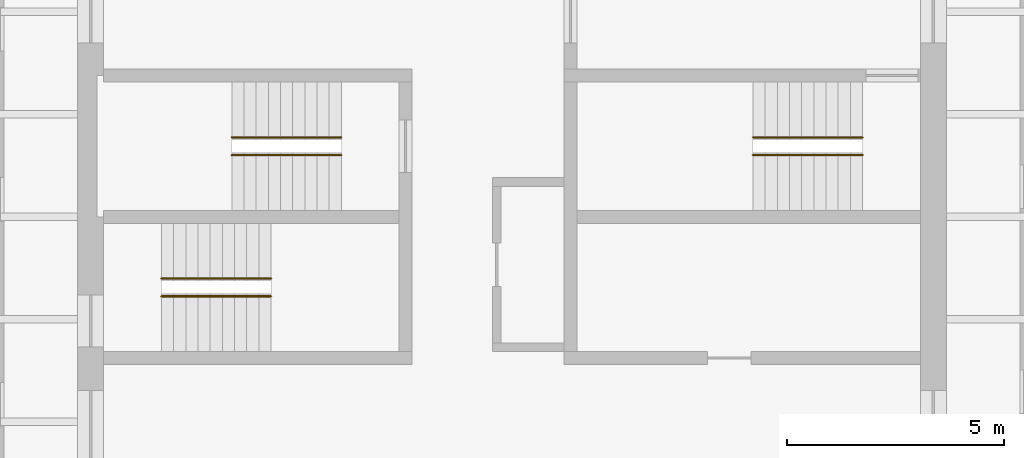
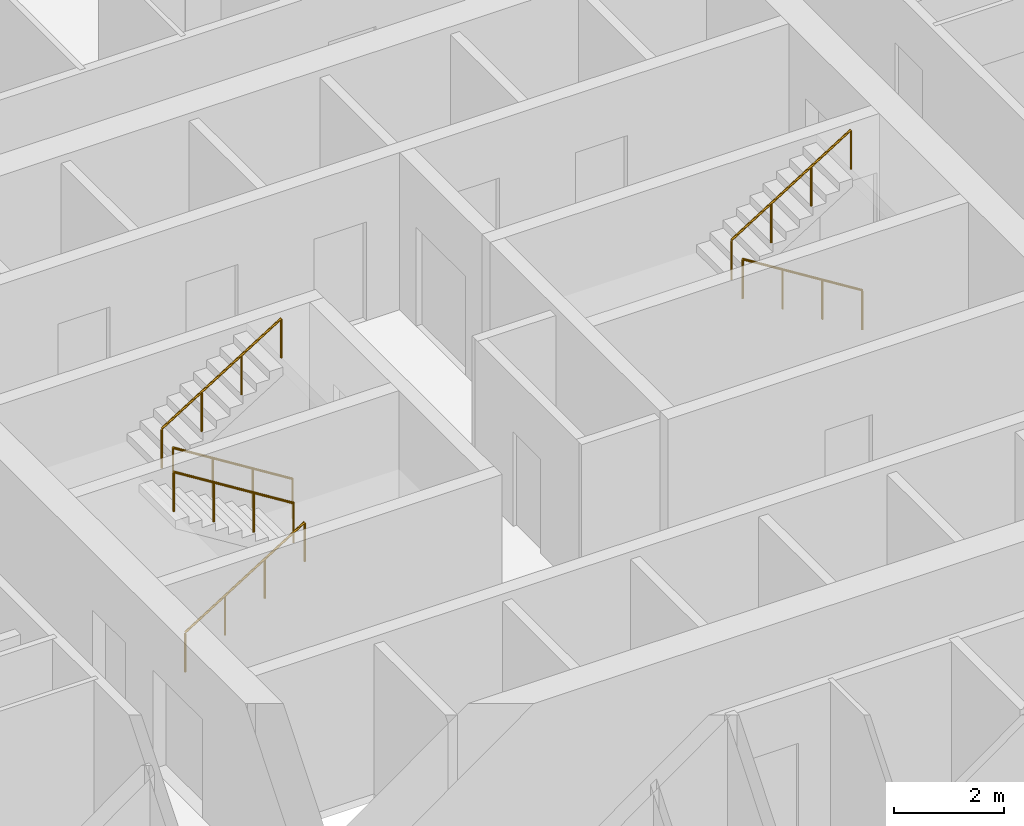
# One storey, part 9 of 9: 6 railings.
"""IFC4 building model written with IfcOpenShell, lengths in metres."""

import ifcopenshell
import ifcopenshell.guid

model = None  # the IFC model being written
_history = None  # IfcOwnerHistory: only IFC2X3 demands one
_inside = {}  # id of a spatial element -> (the spatial element, [elements in it])
_under = {}  # id of a project, library or spatial element -> (it, [spatial elements below it])
_declared = {}  # id of a project -> (the project, [libraries it declares])
_typed = {}  # id of a type object -> (the type object, [elements of that type])
_made_of = {}  # id of a material, layer set ... -> (it, [elements and type objects made of it])


def new_model(schema):
    """Start an empty IFC model of exactly this schema.

    Asked for "IFC4X3", IfcOpenShell would pick the latest addendum, in which some entities
    have other attributes; the version numbers below select the first issue.
    IFC2X3 requires an IfcOwnerHistory on every rooted entity: one is made here for all.
    """
    global model, _history
    if schema == "IFC4X3":
        model = ifcopenshell.file(schema_version=(4, 3, 0, 0))
    else:
        model = ifcopenshell.file(schema=schema)
    _inside.clear()
    _under.clear()
    _declared.clear()
    _typed.clear()
    _made_of.clear()
    _history = None
    if model.schema == "IFC2X3":
        org = make("IfcOrganization", Name="unknown")
        user = make(
            "IfcPersonAndOrganization",
            ThePerson=make("IfcPerson", FamilyName="unknown"),
            TheOrganization=org,
        )
        app = make(
            "IfcApplication",
            ApplicationDeveloper=org,
            Version="unknown",
            ApplicationFullName="unknown",
            ApplicationIdentifier="unknown",
        )
        _history = make(
            "IfcOwnerHistory",
            OwningUser=user,
            OwningApplication=app,
            ChangeAction="ADDED",
            CreationDate=0,
        )
    return model


def make(cls, **values):
    """One entity of the class cls with the attributes given. An attribute that is None is left unset."""
    return model.create_entity(
        cls, **{name: value for name, value in values.items() if value is not None}
    )


def rooted(cls, **values):
    """An entity with a GlobalId (a new one), such as an element, a storey or a relation."""
    return make(cls, GlobalId=ifcopenshell.guid.new(), OwnerHistory=_history, **values)


def si_unit(unit_type, name, prefix=None):
    """IfcSIUnit, for example si_unit("LENGTHUNIT", "METRE", prefix="MILLI")."""
    return make("IfcSIUnit", UnitType=unit_type, Prefix=prefix, Name=name)


def assignment(units):
    """IfcUnitAssignment: the units of a project."""
    return None if units is None else make("IfcUnitAssignment", Units=units)


def point(xyz):
    """IfcCartesianPoint."""
    return None if xyz is None else make("IfcCartesianPoint", Coordinates=xyz)


def direction(xyz):
    """IfcDirection."""
    return None if xyz is None else make("IfcDirection", DirectionRatios=xyz)


def frame(location, z_axis=None, x_axis=None):
    """IfcAxis2Placement3D, a coordinate frame: its origin and axes. An axis left out is left unset."""
    return make(
        "IfcAxis2Placement3D",
        Location=point(location),
        Axis=direction(z_axis),
        RefDirection=direction(x_axis),
    )


def frame_2d(location, x_axis=None):
    """IfcAxis2Placement2D, a coordinate frame in the plane: its origin and x axis."""
    return make(
        "IfcAxis2Placement2D", Location=point(location), RefDirection=direction(x_axis)
    )


def origin():
    """The frame at (0, 0, 0) with its axes left unset."""
    return frame((0.0, 0.0, 0.0))


def origin_2d():
    """The frame at (0, 0) in the plane with its x axis left unset."""
    return frame_2d((0.0, 0.0))


def place(relative_to, where):
    """IfcLocalPlacement: puts the frame where relative to a parent placement (None: the world)."""
    return make(
        "IfcLocalPlacement", PlacementRelTo=relative_to, RelativePlacement=where
    )


def context(
    kind, dimensions, precision=None, world=None, true_north=None, identifier=None
):
    """IfcGeometricRepresentationContext, for example the 3D "Model" context."""
    return make(
        "IfcGeometricRepresentationContext",
        ContextIdentifier=identifier,
        ContextType=kind,
        CoordinateSpaceDimension=dimensions,
        Precision=precision,
        WorldCoordinateSystem=world,
        TrueNorth=true_north,
    )


def subcontext(parent, identifier, kind, view, scale=None):
    """IfcGeometricRepresentationSubContext, for example "Body" below "Model"."""
    return make(
        "IfcGeometricRepresentationSubContext",
        ContextIdentifier=identifier,
        ContextType=kind,
        ParentContext=parent,
        TargetScale=scale,
        TargetView=view,
    )


def project(units=None, contexts=None):
    """IfcProject with its units and contexts."""
    return rooted(
        "IfcProject",
        Name="project",
        RepresentationContexts=contexts,
        UnitsInContext=assignment(units),
    )


def spatial(cls, under=None, at=None, **own):
    """A site, building, storey or space (cls), placed at a placement, below another one or the project."""
    s = rooted(cls, ObjectPlacement=at, **own)
    if under is not None:
        _under.setdefault(under.id(), (under, []))[1].append(s)
    return s


def profile(cls, at=None, kind="AREA", **sizes):
    """A parametric profile (cls). Its sizes go by their IFC names, for example OverallWidth=200.0."""
    return make(cls, ProfileType=kind, Position=at, **sizes)


def circle(**sizes):
    """IfcCircleProfileDef."""
    return profile("IfcCircleProfileDef", **sizes)


def extrude(swept, where, along, depth):
    """IfcExtrudedAreaSolid: the profile swept, set in the frame where, extruded along a direction by depth."""
    return make(
        "IfcExtrudedAreaSolid",
        SweptArea=swept,
        Position=where,
        ExtrudedDirection=direction(along),
        Depth=depth,
    )


def shape(context_of_items, identifier, shape_type, items):
    """IfcShapeRepresentation: the items that make up one representation, for example the "Body"."""
    return make(
        "IfcShapeRepresentation",
        ContextOfItems=context_of_items,
        RepresentationIdentifier=identifier,
        RepresentationType=shape_type,
        Items=items,
    )


def material(Name=None, Category=None):
    """IfcMaterial."""
    return make("IfcMaterial", Name=Name, Category=Category)


def made_of(thing, what):
    """Note that an element or type object is made of a material, layer set ...; save() writes the relation."""
    if what is not None:
        _made_of.setdefault(what.id(), (what, []))[1].append(thing)
    return thing


def type_object(cls, material=None, **own):
    """A type object (cls), such as IfcWallType, which elements share."""
    return made_of(rooted(cls, **own), material)


def element(
    cls,
    number,
    at=None,
    inside=None,
    cuts=None,
    type_object=None,
    material=None,
    context=None,
    identifier="Body",
    shape_type=None,
    held_by="IfcProductDefinitionShape",
    body=None,
    shapes=None,
    **own,
):
    """One element of the class cls, such as IfcWall. Its Tag is "e" and its number.

    at: its placement. inside: the storey or other place that contains it. cuts: it is an
    opening in that element (IfcRelVoidsElement). A single representation is given by context,
    identifier, shape_type and body (its items); several are given by shapes. held_by: the class
    of the entity that holds the representations. save() writes the other relations.
    """
    e = rooted(cls, Tag="e%d" % number, ObjectPlacement=at, **own)
    if body is not None:
        shapes = [shape(context, identifier, shape_type, body)]
    if shapes is not None:
        e.Representation = make(held_by, Representations=shapes)
    if inside is not None:
        _inside.setdefault(inside.id(), (inside, []))[1].append(e)
    if cuts is not None:
        rooted(
            "IfcRelVoidsElement", RelatingBuildingElement=cuts, RelatedOpeningElement=e
        )
    if type_object is not None:
        _typed.setdefault(type_object.id(), (type_object, []))[1].append(e)
    return made_of(e, material)


def aggregate(whole, parts):
    """IfcRelAggregates: a whole, such as a stair, and the parts it consists of."""
    return rooted("IfcRelAggregates", RelatingObject=whole, RelatedObjects=parts)


def save(model, path):
    """Write the relations noted so far, then the file.

    IfcRelAggregates (storeys below a building ...), IfcRelContainedInSpatialStructure (elements
    in a storey), IfcRelDefinesByType, IfcRelAssociatesMaterial and IfcRelDeclares: one each for
    every whole, place, type object, material and project.
    """
    for whole, parts in _under.values():
        aggregate(whole, parts)
    for where, things in _inside.values():
        rooted(
            "IfcRelContainedInSpatialStructure",
            RelatedElements=things,
            RelatingStructure=where,
        )
    for kind, things in _typed.values():
        rooted("IfcRelDefinesByType", RelatedObjects=things, RelatingType=kind)
    for what, things in _made_of.values():
        rooted("IfcRelAssociatesMaterial", RelatedObjects=things, RelatingMaterial=what)
    for by, libraries in _declared.values():
        rooted("IfcRelDeclares", RelatingContext=by, RelatedDefinitions=libraries)
    model.write(path)


model = new_model("IFC4")

# Units and contexts
model_context = context("Model", 3, precision=1e-05, world=origin(), true_north=direction((0.0, 1.0)))
body_context = subcontext(model_context, "Body", "Model", "MODEL_VIEW")
ifc_project = project(units=[si_unit("LENGTHUNIT", "METRE"), si_unit("AREAUNIT", "SQUARE_METRE"), si_unit("VOLUMEUNIT", "CUBIC_METRE"), si_unit("PLANEANGLEUNIT", "RADIAN"), si_unit("MASSUNIT", "GRAM", prefix="KILO")], contexts=[model_context])

# Site, building, storey
site_placement = place(None, origin())
site = spatial("IfcSite", under=ifc_project, at=site_placement, CompositionType="ELEMENT")
building_placement = place(site_placement, origin())
building = spatial("IfcBuilding", under=site, at=building_placement, Name="Turquesa Mirador Hotel Tower", CompositionType="ELEMENT")
storey_placement = place(building_placement, frame((0.0, 0.0, 142.39990234375)))
storey = spatial("IfcBuildingStorey", under=building, at=storey_placement, Name="L38", CompositionType="ELEMENT", Elevation=142.39990234375)

# Railings
ifc_material = material(Name="Painted steel handrail", Category="steel")
railing_type = type_object("IfcRailingType", Name="HANDRAIL 900 STEEL", PredefinedType="HANDRAIL", material=ifc_material)
railing_1_placement = place(storey_placement, frame((51.070068359375, 46.419921875, 0.175048828125)))
element("IfcRailing", 1, at=railing_1_placement, inside=storey, type_object=railing_type, Name="Handrail ST1", PredefinedType="HANDRAIL", context=body_context, shape_type="SweptSolid", body=[
    extrude(circle(Radius=0.02392578125, at=origin_2d()), frame((0.0, 0.0, 0.8759765625), z_axis=(-0.848007534815, 0.0, 0.529984170421), x_axis=(0.0, -1.0, 0.0)), (0.0, 0.0, 1.0), 2.9716796875),
    extrude(circle(Radius=0.02099609375, at=origin_2d()), origin(), (0.0, 0.0, 1.0), 0.851806640625),
    extrude(circle(Radius=0.02099609375, at=origin_2d()), frame((-0.840087890625, 0.0, 0.52490234375)), (0.0, 0.0, 1.0), 0.851806640625),
    extrude(circle(Radius=0.02099609375, at=origin_2d()), frame((-1.679931640625, 0.0, 1.050048828125)), (0.0, 0.0, 1.0), 0.851806640625),
    extrude(circle(Radius=0.02099609375, at=origin_2d()), frame((-2.52001953125, 0.0, 1.574951171875)), (0.0, 0.0, 1.0), 0.851806640625),
])
for number, where, name in (
    (2, (48.550048828125, 46.830078125, 1.925048828125), "Handrail ST1"),
    (3, (46.929931640625, 43.169921875, 0.175048828125), "Handrail ST2"),
):
    element("IfcRailing", number, at=place(storey_placement, frame(where)), inside=storey, type_object=railing_type, Name=name, PredefinedType="HANDRAIL", context=body_context, shape_type="SweptSolid", body=[
        extrude(circle(Radius=0.02392578125, at=origin_2d()), frame((0.0, 0.0, 0.8759765625), z_axis=(0.848007534815, 0.0, 0.529984170421), x_axis=(0.0, 1.0, 0.0)), (0.0, 0.0, 1.0), 2.9716796875),
        extrude(circle(Radius=0.02099609375, at=origin_2d()), origin(), (0.0, 0.0, 1.0), 0.851806640625),
        extrude(circle(Radius=0.02099609375, at=origin_2d()), frame((0.840087890625, 0.0, 0.52490234375)), (0.0, 0.0, 1.0), 0.851806640625),
        extrude(circle(Radius=0.02099609375, at=origin_2d()), frame((1.679931640625, 0.0, 1.050048828125)), (0.0, 0.0, 1.0), 0.851806640625),
        extrude(circle(Radius=0.02099609375, at=origin_2d()), frame((2.52001953125, 0.0, 1.574951171875)), (0.0, 0.0, 1.0), 0.851806640625),
    ])
for number, where, name in (
    (4, (49.449951171875, 43.580078125, 1.925048828125), "Handrail ST2"),
    (5, (63.070068359375, 46.419921875, 0.175048828125), "Handrail ST3"),
):
    element("IfcRailing", number, at=place(storey_placement, frame(where)), inside=storey, type_object=railing_type, Name=name, PredefinedType="HANDRAIL", context=body_context, shape_type="SweptSolid", body=[
        extrude(circle(Radius=0.02392578125, at=origin_2d()), frame((0.0, 0.0, 0.8759765625), z_axis=(-0.848007534815, 0.0, 0.529984170421), x_axis=(0.0, -1.0, 0.0)), (0.0, 0.0, 1.0), 2.9716796875),
        extrude(circle(Radius=0.02099609375, at=origin_2d()), origin(), (0.0, 0.0, 1.0), 0.851806640625),
        extrude(circle(Radius=0.02099609375, at=origin_2d()), frame((-0.840087890625, 0.0, 0.52490234375)), (0.0, 0.0, 1.0), 0.851806640625),
        extrude(circle(Radius=0.02099609375, at=origin_2d()), frame((-1.679931640625, 0.0, 1.050048828125)), (0.0, 0.0, 1.0), 0.851806640625),
        extrude(circle(Radius=0.02099609375, at=origin_2d()), frame((-2.52001953125, 0.0, 1.574951171875)), (0.0, 0.0, 1.0), 0.851806640625),
    ])
railing_2_placement = place(storey_placement, frame((60.550048828125, 46.830078125, 1.925048828125)))
element("IfcRailing", 6, at=railing_2_placement, inside=storey, type_object=railing_type, Name="Handrail ST3", PredefinedType="HANDRAIL", context=body_context, shape_type="SweptSolid", body=[
    extrude(circle(Radius=0.02392578125, at=origin_2d()), frame((0.0, 0.0, 0.8759765625), z_axis=(0.848007534815, 0.0, 0.529984170421), x_axis=(0.0, 1.0, 0.0)), (0.0, 0.0, 1.0), 2.9716796875),
    extrude(circle(Radius=0.02099609375, at=origin_2d()), origin(), (0.0, 0.0, 1.0), 0.851806640625),
    extrude(circle(Radius=0.02099609375, at=origin_2d()), frame((0.840087890625, 0.0, 0.52490234375)), (0.0, 0.0, 1.0), 0.851806640625),
    extrude(circle(Radius=0.02099609375, at=origin_2d()), frame((1.679931640625, 0.0, 1.050048828125)), (0.0, 0.0, 1.0), 0.851806640625),
    extrude(circle(Radius=0.02099609375, at=origin_2d()), frame((2.52001953125, 0.0, 1.574951171875)), (0.0, 0.0, 1.0), 0.851806640625),
])

save(model, "model.ifc")
